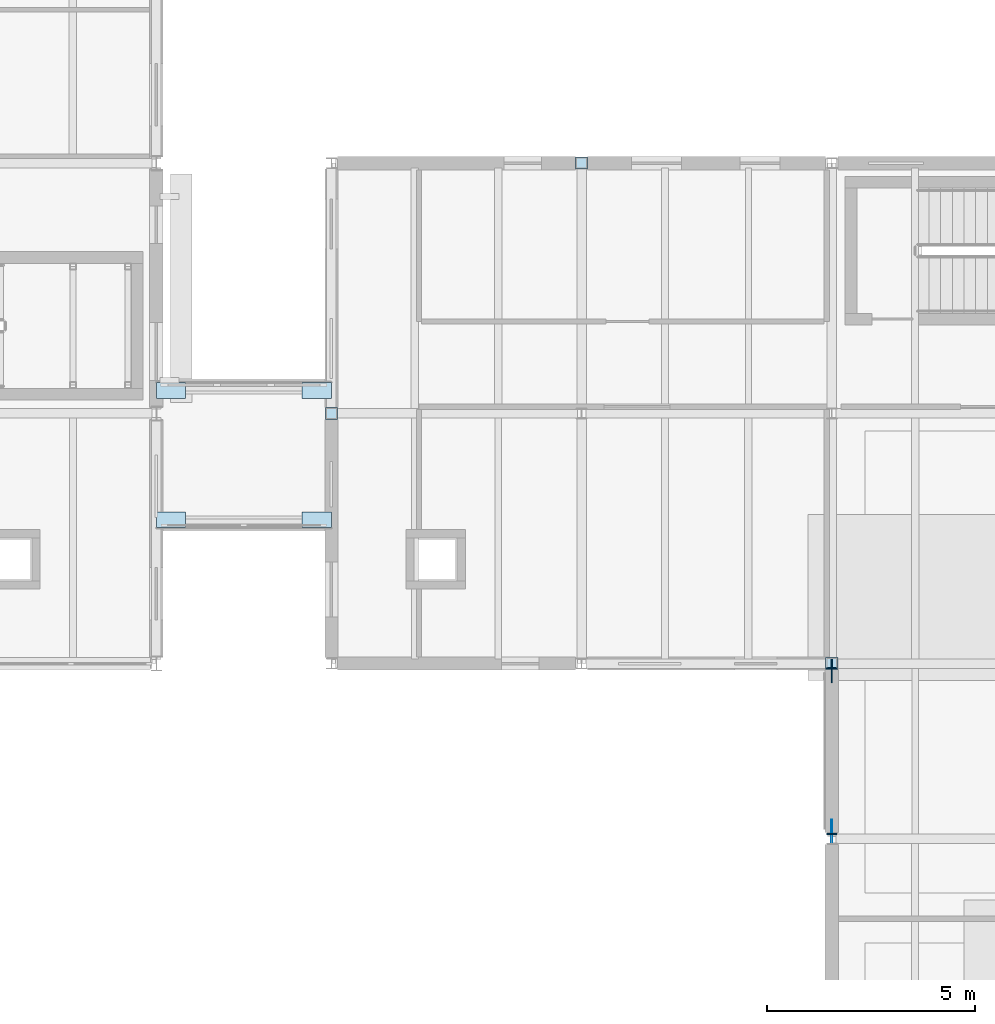
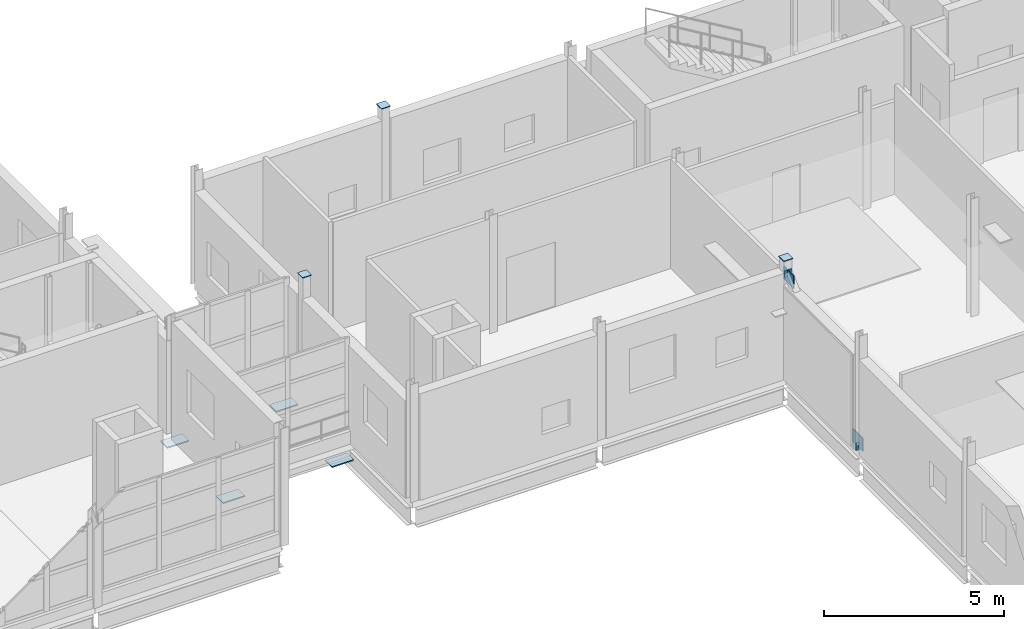
# One storey, part 55 of 92: 11 plates.
"""IFC4 building model written with IfcOpenShell, lengths in metres."""

from ifc_helpers import new_model, si_unit, direction, frame, origin, origin_2d, place, context, subcontext, project, spatial, rectangle, extrude, material, layer, layer_set, type_object, element, save


model = new_model("IFC4")

# Units and contexts
model_context = context("Model", 3, precision=1e-05, world=origin(), true_north=direction((0.0, 1.0)))
body_context = subcontext(model_context, "Body", "Model", "MODEL_VIEW")
ifc_project = project(units=[si_unit("LENGTHUNIT", "METRE"), si_unit("AREAUNIT", "SQUARE_METRE"), si_unit("VOLUMEUNIT", "CUBIC_METRE"), si_unit("PLANEANGLEUNIT", "RADIAN"), si_unit("MASSUNIT", "GRAM", prefix="KILO")], contexts=[model_context])

# Site, building, storey
site_placement = place(None, origin())
site = spatial("IfcSite", under=ifc_project, at=site_placement, CompositionType="ELEMENT")
building_placement = place(site_placement, origin())
building = spatial("IfcBuilding", under=site, at=building_placement, Name="Siltcreek Boulevard Central Fire Station", CompositionType="ELEMENT")
storey_placement = place(building_placement, frame((0.0, 0.0, 6.0)))
storey = spatial("IfcBuildingStorey", under=building, at=storey_placement, Name="L02", CompositionType="ELEMENT", Elevation=6.0)

# Plates
ifc_material = material(Name="Structural steel ASTM A572 Gr50", Category="steel")
ifc_layer_1 = layer(ifc_material, 0.02490234375, Name="Structural steel ASTM A572 Gr50")
ifc_layer_set_1 = layer_set([ifc_layer_1], Name="Structural steel ASTM A572 Gr50")
plate_type_1 = type_object("IfcPlateType", Name="PL_CAP25", PredefinedType="USERDEFINED", material=ifc_layer_set_1)
for number, where, z_axis, x_axis, name in (
    (1, (112.199951171875, 24.0, 3.998046875), (0.0, 0.0, 1.0), (1.0, 0.0, 0.0), "L02 structural column COLG-L02-1122-240 sealed end cap 2"),
    (2, (118.199951171875, 30.0, 3.998046875), (0.0, 0.0, 1.0), (1.0, 0.0, 0.0), "L02 structural column COLG-L02-1182-300 sealed end cap 2"),
    (3, (124.199951171875, 18.0, 3.998046875), (0.0, 0.0, 1.0), (1.0, 0.0, 0.0), "L02 structural column COLG-L02-1242-180 sealed end cap 2"),
):
    element("IfcPlate", number, at=place(storey_placement, frame(where, z_axis=z_axis, x_axis=x_axis)), inside=storey, type_object=plate_type_1, Name=name, ObjectType="END CAP", PredefinedType="USERDEFINED", context=body_context, shape_type="SweptSolid", body=[
        extrude(rectangle(XDim=0.2900390625, YDim=0.2900390625, at=origin_2d()), origin(), (0.0, 0.0, 1.0), 0.02490234375),
    ])
for number, where, z_axis, x_axis, name in (
    (4, (124.199951171875, 13.912109375, -0.02685546875), (0.0, 0.0, 1.0), (0.0, 1.0, 0.0), "L02 buckling-restrained brace BR-038 sealed end cap 1"),
    (5, (124.199951171875, 17.887939453125, 3.43701171875), (0.0, 0.0, 1.0), (0.0, 1.0, 0.0), "L02 buckling-restrained brace BR-038 sealed end cap 2"),
):
    element("IfcPlate", number, at=place(storey_placement, frame(where, z_axis=z_axis, x_axis=x_axis)), inside=storey, type_object=plate_type_1, Name=name, ObjectType="END CAP", PredefinedType="USERDEFINED", context=body_context, shape_type="SweptSolid", body=[
        extrude(rectangle(XDim=0.02490234375, YDim=0.239990234375, at=origin_2d()), origin(), (0.0, 0.0, 1.0), 0.239990234375),
    ])
ifc_layer_2 = layer(ifc_material, 0.02197265625, Name="Structural steel ASTM A572 Gr50")
ifc_layer_set_2 = layer_set([ifc_layer_2], Name="Structural steel ASTM A572 Gr50")
plate_type_2 = type_object("IfcPlateType", Name="PL_GUS22", PredefinedType="USERDEFINED", material=ifc_layer_set_2)
plate_1_placement = place(storey_placement, frame((124.199951171875, 13.97998046875, 0.030029296875), z_axis=(0.0, 0.0, 1.0), x_axis=(0.0, 1.0, 0.0)))
element("IfcPlate", 6, at=plate_1_placement, inside=storey, type_object=plate_type_2, Name="Seismic brace bot gusset plate GP-109", ObjectType="GUSSET PLATE", PredefinedType="USERDEFINED", context=body_context, shape_type="SweptSolid", body=[
    extrude(rectangle(XDim=0.56005859375, YDim=0.02197265625, at=origin_2d()), origin(), (0.0, 0.0, 1.0), 0.43994140625),
])
ifc_layer_3 = layer(ifc_material, 0.028076171875, Name="Structural steel ASTM A572 Gr50")
ifc_layer_set_3 = layer_set([ifc_layer_3], Name="Structural steel ASTM A572 Gr50")
plate_type_3 = type_object("IfcPlateType", Name="PL_GUS28", PredefinedType="USERDEFINED", material=ifc_layer_set_3)
plate_2_placement = place(storey_placement, frame((124.199951171875, 17.820068359375, 3.22998046875), z_axis=(0.0, 0.0, 1.0), x_axis=(0.0, 1.0, 0.0)))
element("IfcPlate", 7, at=plate_2_placement, inside=storey, type_object=plate_type_3, Name="Seismic brace top gusset plate GP-110", ObjectType="GUSSET PLATE", PredefinedType="USERDEFINED", context=body_context, shape_type="SweptSolid", body=[
    extrude(rectangle(XDim=0.56005859375, YDim=0.028076171875, at=origin_2d()), origin(), (0.0, 0.0, 1.0), 0.43994140625),
])
ifc_layer_4 = layer(ifc_material, 0.0400390625, Name="Structural steel ASTM A572 Gr50")
ifc_layer_set_4 = layer_set([ifc_layer_4], Name="Structural steel ASTM A572 Gr50")
plate_type_4 = type_object("IfcPlateType", Name="PL_GUS40", PredefinedType="USERDEFINED", material=ifc_layer_set_4)
for number, where, z_axis, x_axis, name in (
    (8, (108.35009765625, 21.449951171875, -0.669921875), (0.0, 0.0, 1.0), (1.0, 0.0, 0.0), "Link bridge west V2 guided 700 mm ledger seat plate GP-031"),
    (9, (111.85009765625, 21.449951171875, -0.669921875), (0.0, 0.0, 1.0), (1.0, 0.0, 0.0), "Link bridge east V6 PTFE sliding 700 mm ledger seat plate GP-032"),
    (10, (108.35009765625, 24.550048828125, -0.669921875), (0.0, 0.0, 1.0), (1.0, 0.0, 0.0), "Link bridge west V2 guided 700 mm ledger seat plate GP-033"),
    (11, (111.85009765625, 24.550048828125, -0.669921875), (0.0, 0.0, 1.0), (1.0, 0.0, 0.0), "Link bridge east V6 PTFE sliding 700 mm ledger seat plate GP-034"),
):
    element("IfcPlate", number, at=place(storey_placement, frame(where, z_axis=z_axis, x_axis=x_axis)), inside=storey, type_object=plate_type_4, Name=name, ObjectType="GUSSET PLATE", PredefinedType="USERDEFINED", context=body_context, shape_type="SweptSolid", body=[
        extrude(rectangle(XDim=0.699951171875, YDim=0.3798828125, at=origin_2d()), origin(), (0.0, 0.0, 1.0), 0.0400390625),
    ])

save(model, "model.ifc")
